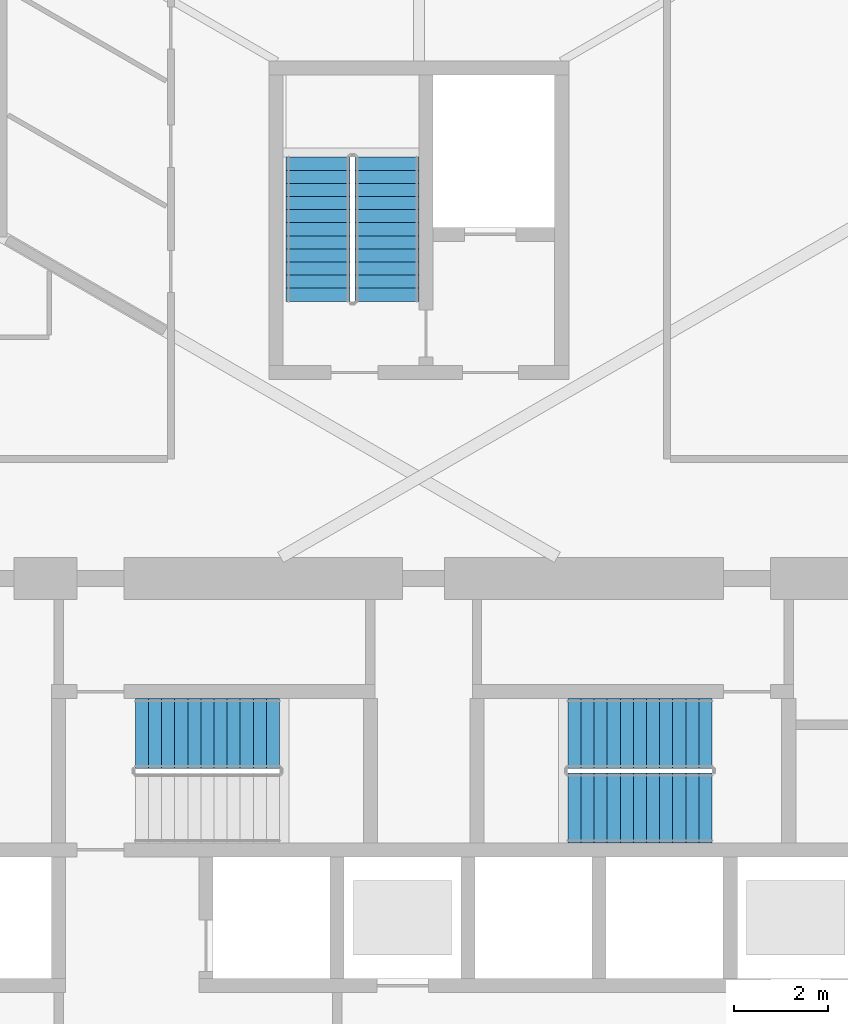
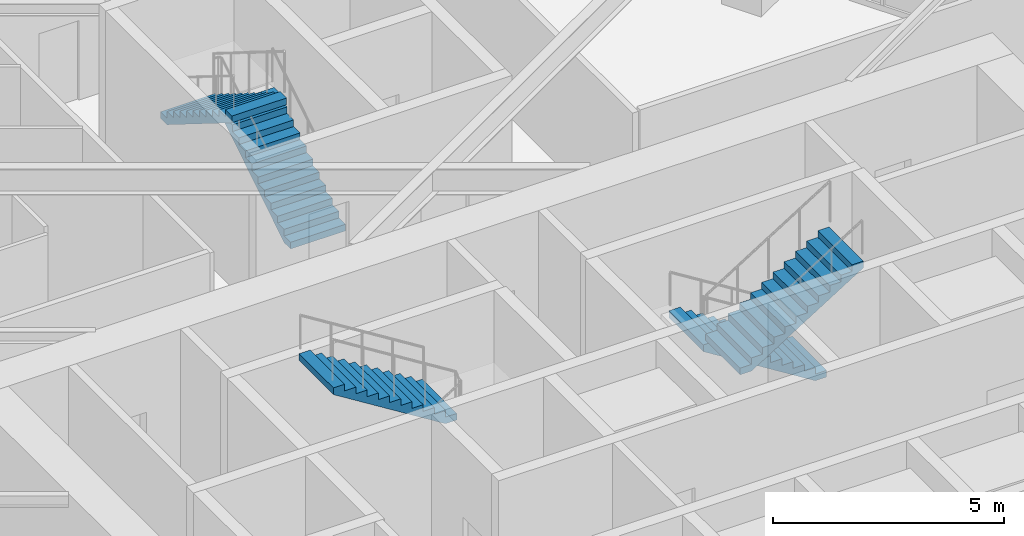
# One storey, part 17 of 19: 5 stair flights, 3 elements without a shape of their own.
"""IFC4 building model written with IfcOpenShell, lengths in metres."""

from ifc_helpers import new_model, si_unit, direction, frame, origin, place, context, subcontext, project, spatial, polyline, outline, extrude, material, type_object, element, aggregate, save


model = new_model("IFC4")

# Units and contexts
model_context = context("Model", 3, precision=1e-05, world=origin(), true_north=direction((0.0, 1.0)))
body_context = subcontext(model_context, "Body", "Model", "MODEL_VIEW")
ifc_project = project(units=[si_unit("LENGTHUNIT", "METRE"), si_unit("AREAUNIT", "SQUARE_METRE"), si_unit("VOLUMEUNIT", "CUBIC_METRE"), si_unit("PLANEANGLEUNIT", "RADIAN"), si_unit("MASSUNIT", "GRAM", prefix="KILO")], contexts=[model_context])

# Site, building, storey
site_placement = place(None, origin())
site = spatial("IfcSite", under=ifc_project, at=site_placement, CompositionType="ELEMENT")
building_placement = place(site_placement, origin())
building = spatial("IfcBuilding", under=site, at=building_placement, Name="Firuza Gate Tower and Library", CompositionType="ELEMENT")
storey_placement = place(building_placement, frame((0.0, 0.0, 124.0)))
storey = spatial("IfcBuildingStorey", under=building, at=storey_placement, Name="L28", CompositionType="ELEMENT", Elevation=124.0)

# Stair, stair flights
ifc_material_1 = material(Name="Concrete C35/45", Category="concrete")
stair_type_1 = type_object("IfcStairType", Name="Exit stair ST14", PredefinedType="HALF_TURN_STAIR", material=ifc_material_1)
placement = place(storey_placement, origin())
stair_1 = element("IfcStair", 1, at=placement, inside=storey, type_object=stair_type_1, Name="L28 Stair ST3", PredefinedType="HALF_TURN_STAIR")
ifc_material_2 = material(Name="Concrete C35/45", Category="concrete")
stair_flight_type_1 = type_object("IfcStairFlightType", Name="Stair flight 12 risers 175 width 1370", PredefinedType="STRAIGHT", material=ifc_material_2)
stair_flight_1_placement = place(storey_placement, frame((74.31494140625, 89.469970703125, 0.0), z_axis=(0.0, 0.0, 1.0), x_axis=(0.0, 1.0, 0.0)))
stair_flight_1 = element("IfcStairFlight", 2, at=stair_flight_1_placement, type_object=stair_flight_type_1, Name="ST3 flight 1", NumberOfRisers=12, NumberOfTreads=11, PredefinedType="STRAIGHT", RiserHeight=0.175, TreadLength=0.28, context=body_context, shape_type="SweptSolid", body=[
    extrude(outline(polyline([(0.0, 0.0), (0.0, 0.175048828125), (0.280029296875, 0.175048828125), (0.280029296875, 0.35009765625), (0.56005859375, 0.35009765625), (0.56005859375, 0.52490234375), (0.840087890625, 0.52490234375), (0.840087890625, 0.699951171875), (1.1201171875, 0.699951171875), (1.1201171875, 0.875), (1.39990234375, 0.875), (1.39990234375, 1.050048828125), (1.679931640625, 1.050048828125), (1.679931640625, 1.22509765625), (1.9599609375, 1.22509765625), (1.9599609375, 1.39990234375), (2.239990234375, 1.39990234375), (2.239990234375, 1.574951171875), (2.52001953125, 1.574951171875), (2.52001953125, 1.75), (2.800048828125, 1.75), (2.800048828125, 1.925048828125), (3.080078125, 1.925048828125), (3.080078125, 2.10009765625), (3.080078125, 1.748291015625), (0.28271484375, 0.0), (0.0, 0.0)])), frame((0.0, 0.68505859375, 0.0), z_axis=(0.0, -1.0, 0.0), x_axis=(1.0, 0.0, 0.0)), (0.0, 0.0, 1.0), 1.3701171875),
])
stair_flight_2_placement = place(storey_placement, frame((72.844970703125, 92.550048828125, 2.10009765625), z_axis=(0.0, 0.0, 1.0), x_axis=(0.0, -1.0, 0.0)))
stair_flight_2 = element("IfcStairFlight", 3, at=stair_flight_2_placement, type_object=stair_flight_type_1, Name="ST3 flight 2", NumberOfRisers=12, NumberOfTreads=11, PredefinedType="STRAIGHT", RiserHeight=0.175, TreadLength=0.28, context=body_context, shape_type="SweptSolid", body=[
    extrude(outline(polyline([(0.0, 0.0), (0.0, 0.175048828125), (0.280029296875, 0.175048828125), (0.280029296875, 0.35009765625), (0.56005859375, 0.35009765625), (0.56005859375, 0.52490234375), (0.840087890625, 0.52490234375), (0.840087890625, 0.699951171875), (1.1201171875, 0.699951171875), (1.1201171875, 0.875), (1.39990234375, 0.875), (1.39990234375, 1.050048828125), (1.679931640625, 1.050048828125), (1.679931640625, 1.22509765625), (1.9599609375, 1.22509765625), (1.9599609375, 1.39990234375), (2.239990234375, 1.39990234375), (2.239990234375, 1.574951171875), (2.52001953125, 1.574951171875), (2.52001953125, 1.75), (2.800048828125, 1.75), (2.800048828125, 1.925048828125), (3.080078125, 1.925048828125), (3.080078125, 2.10009765625), (3.080078125, 1.748291015625), (0.28271484375, 0.0), (0.0, 0.0)])), frame((0.0, 0.68505859375, 0.0), z_axis=(0.0, -1.0, 0.0), x_axis=(1.0, 0.0, 0.0)), (0.0, 0.0, 1.0), 1.3701171875),
])
aggregate(stair_1, [stair_flight_1, stair_flight_2])

# Stair, stair flight
ifc_material_3 = material(Name="Concrete C35/45", Category="concrete")
stair_type_2 = type_object("IfcStairType", Name="Exit stair ST5", PredefinedType="HALF_TURN_STAIR", material=ifc_material_3)
stair_2 = element("IfcStair", 4, at=placement, inside=storey, type_object=stair_type_2, Name="L28 Stair ST1", PredefinedType="HALF_TURN_STAIR")
ifc_material_4 = material(Name="Concrete C35/45", Category="concrete")
stair_flight_type_2 = type_object("IfcStairFlightType", Name="Stair flight 12 risers 175 width 1490", PredefinedType="STRAIGHT", material=ifc_material_4)
stair_flight_3_placement = place(storey_placement, frame((72.02001953125, 80.235107421875, 2.10009765625), z_axis=(0.0, 0.0, 1.0), x_axis=(-1.0, 0.0, 0.0)))
stair_flight_3 = element("IfcStairFlight", 5, at=stair_flight_3_placement, type_object=stair_flight_type_2, Name="ST1 flight 2", NumberOfRisers=12, NumberOfTreads=11, PredefinedType="STRAIGHT", RiserHeight=0.175, TreadLength=0.28, context=body_context, shape_type="SweptSolid", body=[
    extrude(outline(polyline([(0.0, 0.0), (0.0, 0.175048828125), (0.280029296875, 0.175048828125), (0.280029296875, 0.35009765625), (0.56005859375, 0.35009765625), (0.56005859375, 0.52490234375), (0.840087890625, 0.52490234375), (0.840087890625, 0.699951171875), (1.1201171875, 0.699951171875), (1.1201171875, 0.875), (1.39990234375, 0.875), (1.39990234375, 1.050048828125), (1.679931640625, 1.050048828125), (1.679931640625, 1.22509765625), (1.9599609375, 1.22509765625), (1.9599609375, 1.39990234375), (2.239990234375, 1.39990234375), (2.239990234375, 1.574951171875), (2.52001953125, 1.574951171875), (2.52001953125, 1.75), (2.800048828125, 1.75), (2.800048828125, 1.925048828125), (3.080078125, 1.925048828125), (3.080078125, 2.10009765625), (3.080078125, 1.748291015625), (0.28271484375, 0.0), (0.0, 0.0)])), frame((0.0, 0.7451171875, 0.0), z_axis=(0.0, -1.0, 0.0), x_axis=(1.0, 0.0, 0.0)), (0.0, 0.0, 1.0), 1.489990234375),
])
aggregate(stair_2, [stair_flight_3])

# Stair, stair flights
stair_3 = element("IfcStair", 6, at=placement, inside=storey, type_object=stair_type_2, Name="L28 Stair ST2", PredefinedType="HALF_TURN_STAIR")
stair_flight_4_placement = place(storey_placement, frame((81.260009765625, 80.235107421875, 0.0), z_axis=(0.0, 0.0, 1.0), x_axis=(-1.0, 0.0, 0.0)))
stair_flight_4 = element("IfcStairFlight", 7, at=stair_flight_4_placement, type_object=stair_flight_type_2, Name="ST2 flight 1", NumberOfRisers=12, NumberOfTreads=11, PredefinedType="STRAIGHT", RiserHeight=0.175, TreadLength=0.28, context=body_context, shape_type="SweptSolid", body=[
    extrude(outline(polyline([(0.0, 0.0), (0.0, 0.175048828125), (0.280029296875, 0.175048828125), (0.280029296875, 0.35009765625), (0.56005859375, 0.35009765625), (0.56005859375, 0.52490234375), (0.840087890625, 0.52490234375), (0.840087890625, 0.699951171875), (1.1201171875, 0.699951171875), (1.1201171875, 0.875), (1.39990234375, 0.875), (1.39990234375, 1.050048828125), (1.679931640625, 1.050048828125), (1.679931640625, 1.22509765625), (1.9599609375, 1.22509765625), (1.9599609375, 1.39990234375), (2.239990234375, 1.39990234375), (2.239990234375, 1.574951171875), (2.52001953125, 1.574951171875), (2.52001953125, 1.75), (2.800048828125, 1.75), (2.800048828125, 1.925048828125), (3.080078125, 1.925048828125), (3.080078125, 2.10009765625), (3.080078125, 1.748291015625), (0.28271484375, 0.0), (0.0, 0.0)])), frame((0.0, 0.7451171875, 0.0), z_axis=(0.0, -1.0, 0.0), x_axis=(1.0, 0.0, 0.0)), (0.0, 0.0, 1.0), 1.489990234375),
])
stair_flight_5_placement = place(storey_placement, frame((78.179931640625, 78.64501953125, 2.10009765625), z_axis=(0.0, 0.0, 1.0), x_axis=(1.0, 0.0, 0.0)))
stair_flight_5 = element("IfcStairFlight", 8, at=stair_flight_5_placement, type_object=stair_flight_type_2, Name="ST2 flight 2", NumberOfRisers=12, NumberOfTreads=11, PredefinedType="STRAIGHT", RiserHeight=0.175, TreadLength=0.28, context=body_context, shape_type="SweptSolid", body=[
    extrude(outline(polyline([(0.0, 0.0), (0.0, 0.175048828125), (0.280029296875, 0.175048828125), (0.280029296875, 0.35009765625), (0.56005859375, 0.35009765625), (0.56005859375, 0.52490234375), (0.840087890625, 0.52490234375), (0.840087890625, 0.699951171875), (1.1201171875, 0.699951171875), (1.1201171875, 0.875), (1.39990234375, 0.875), (1.39990234375, 1.050048828125), (1.679931640625, 1.050048828125), (1.679931640625, 1.22509765625), (1.9599609375, 1.22509765625), (1.9599609375, 1.39990234375), (2.239990234375, 1.39990234375), (2.239990234375, 1.574951171875), (2.52001953125, 1.574951171875), (2.52001953125, 1.75), (2.800048828125, 1.75), (2.800048828125, 1.925048828125), (3.080078125, 1.925048828125), (3.080078125, 2.10009765625), (3.080078125, 1.748291015625), (0.28271484375, 0.0), (0.0, 0.0)])), frame((0.0, 0.7451171875, 0.0), z_axis=(0.0, -1.0, 0.0), x_axis=(1.0, 0.0, 0.0)), (0.0, 0.0, 1.0), 1.489990234375),
])
aggregate(stair_3, [stair_flight_4, stair_flight_5])

save(model, "model.ifc")
